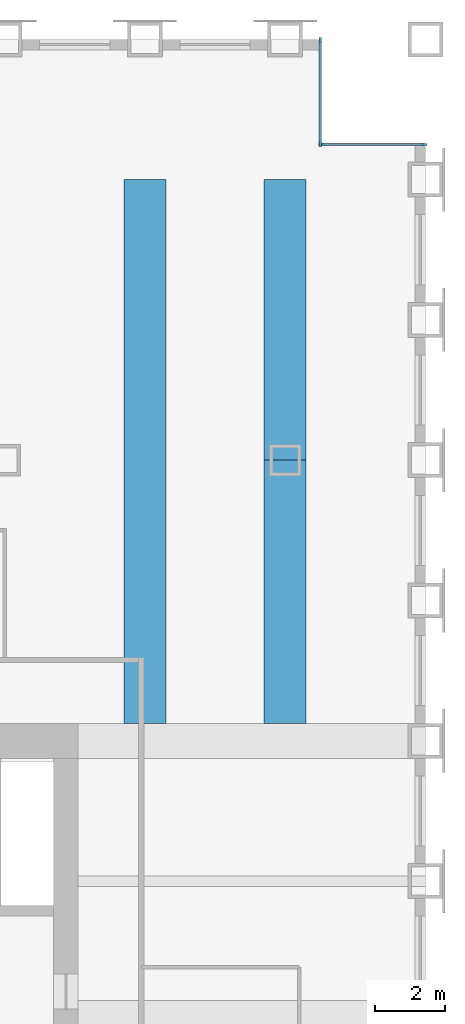
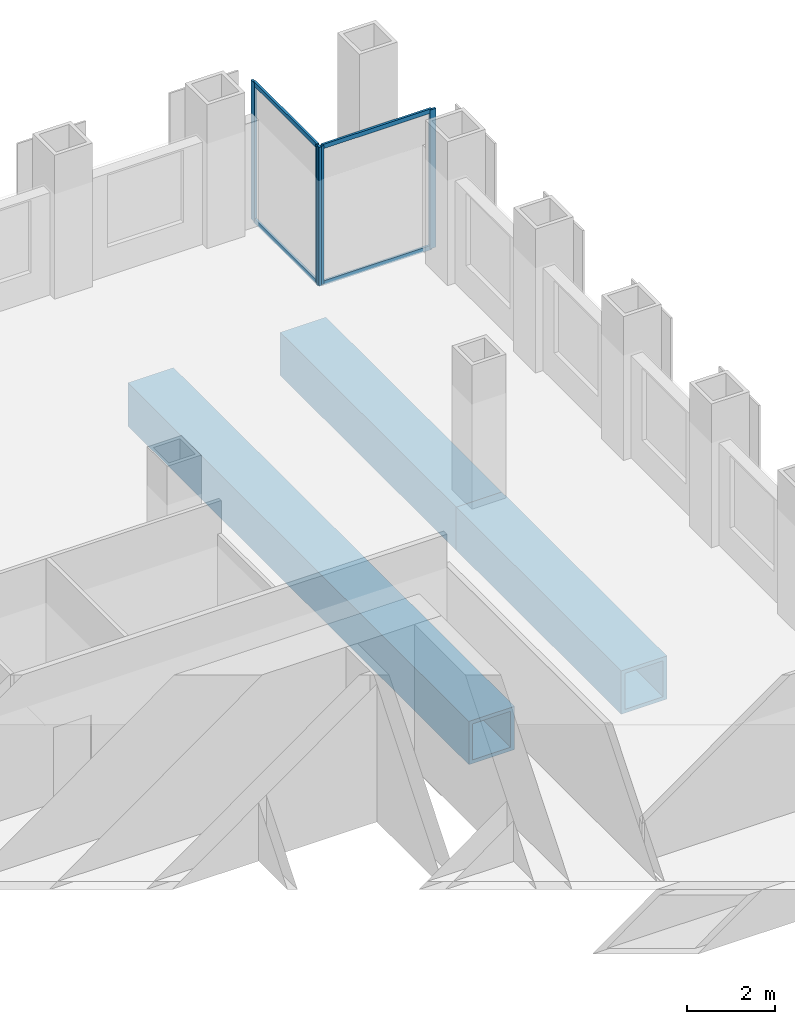
# One storey, part 6 of 13: 8 members, 3 beams, 2 elements without a shape of their own.
"""IFC4 building model written with IfcOpenShell, lengths in metres."""

from ifc_helpers import new_model, si_unit, direction, frame, origin, origin_2d, place, context, subcontext, project, spatial, rectangle, hollow_rectangle, extrude, material, material_profile, profile_set, type_object, element, aggregate, save


model = new_model("IFC4")

# Units and contexts
model_context = context("Model", 3, precision=1e-05, world=origin(), true_north=direction((0.0, 1.0)))
body_context = subcontext(model_context, "Body", "Model", "MODEL_VIEW")
ifc_project = project(units=[si_unit("LENGTHUNIT", "METRE"), si_unit("AREAUNIT", "SQUARE_METRE"), si_unit("VOLUMEUNIT", "CUBIC_METRE"), si_unit("PLANEANGLEUNIT", "RADIAN"), si_unit("MASSUNIT", "GRAM", prefix="KILO")], contexts=[model_context])

# Site, building, storey
site_placement = place(None, origin())
site = spatial("IfcSite", under=ifc_project, at=site_placement, CompositionType="ELEMENT")
building_placement = place(site_placement, origin())
building = spatial("IfcBuilding", under=site, at=building_placement, Name="Rimbunsela Tower", CompositionType="ELEMENT")
storey_placement = place(building_placement, frame((0.0, 0.0, 175.800048828125)))
storey = spatial("IfcBuildingStorey", under=building, at=storey_placement, Name="L42", CompositionType="ELEMENT", Elevation=175.800048828125)

# Beams
ifc_material_1 = material(Name="Steel BJ 55 (fy 410 MPa)", Category="steel")
ifc_material_profile_1 = material_profile(ifc_material_1, hollow_rectangle(XDim=1.199951171875, YDim=1.199951171875, WallThickness=0.10009765625, at=origin_2d()), Name="BOX 1200x1200x100")
ifc_profile_set_1 = profile_set([ifc_material_profile_1], Name="Steel BJ 55 (fy 410 MPa)")
beam_type = type_object("IfcBeamType", Name="Beam BOX 1200x1200x100", PredefinedType="BEAM", material=ifc_profile_set_1)
beam_1_placement = place(storey_placement, frame((38.0, 36.5, -0.75), z_axis=(0.0, 1.0, 0.0), x_axis=(-1.0, 0.0, 0.0)))
element("IfcBeam", 1, at=beam_1_placement, inside=storey, type_object=beam_type, Name="Beam B5 L42", PredefinedType="BEAM", context=body_context, shape_type="SweptSolid", body=[
    extrude(hollow_rectangle(XDim=1.199951171875, YDim=1.199951171875, WallThickness=0.10009765625, at=origin_2d()), origin(), (0.0, 0.0, 1.0), 15.5),
])
beam_2_placement = place(storey_placement, frame((42.0, 36.5, -0.75), z_axis=(0.0, 1.0, 0.0), x_axis=(-1.0, 0.0, 0.0)))
element("IfcBeam", 2, at=beam_2_placement, inside=storey, type_object=beam_type, Name="Beam B5 L42", PredefinedType="BEAM", context=body_context, shape_type="SweptSolid", body=[
    extrude(hollow_rectangle(XDim=1.199951171875, YDim=1.199951171875, WallThickness=0.10009765625, at=origin_2d()), origin(), (0.0, 0.0, 1.0), 7.5),
])
beam_3_placement = place(storey_placement, frame((42.0, 44.0, -0.75), z_axis=(0.0, 1.0, 0.0), x_axis=(-1.0, 0.0, 0.0)))
element("IfcBeam", 3, at=beam_3_placement, inside=storey, type_object=beam_type, Name="Beam B5 L42", PredefinedType="BEAM", context=body_context, shape_type="SweptSolid", body=[
    extrude(hollow_rectangle(XDim=1.199951171875, YDim=1.199951171875, WallThickness=0.10009765625, at=origin_2d()), origin(), (0.0, 0.0, 1.0), 8.0),
])

# Curtain wall, members
ifc_material_2 = material(Name="Aluminium curtain wall", Category="aluminium")
curtain_wall_type = type_object("IfcCurtainWallType", Name="Corner glazing", PredefinedType="USERDEFINED", material=ifc_material_2)
curtain_wall_1_placement = place(storey_placement, origin())
curtain_wall_1 = element("IfcCurtainWall", 4, at=curtain_wall_1_placement, inside=storey, type_object=curtain_wall_type, Name="Corner glazing L42", ObjectType="CORNER GLAZING", PredefinedType="USERDEFINED")
ifc_material_3 = material(Name="Aluminium mullion", Category="aluminium")
ifc_material_profile_2 = material_profile(ifc_material_3, rectangle(XDim=0.06005859375, YDim=0.159912109375, at=origin_2d()), Name="Mullion 60x160")
ifc_profile_set_2 = profile_set([ifc_material_profile_2], Name="Aluminium mullion")
member_type_1 = type_object("IfcMemberType", Name="Curtain wall mullion 60x160", PredefinedType="MULLION", material=ifc_profile_set_2)
member_1_placement = place(storey_placement, frame((45.969970703125, 53.0, 0.0), z_axis=(0.0, 0.0, 1.0), x_axis=(0.0, -1.0, 0.0)))
member_1 = element("IfcMember", 5, at=member_1_placement, type_object=member_type_1, Name="CW5 mullion 1", PredefinedType="MULLION", context=body_context, shape_type="SweptSolid", body=[
    extrude(rectangle(XDim=0.06005859375, YDim=0.159912109375, at=origin_2d()), origin(), (0.0, 0.0, 1.0), 3.849853515625),
])
member_2_placement = place(storey_placement, frame((43.030029296875, 53.0, 0.0), z_axis=(0.0, 0.0, 1.0), x_axis=(0.0, -1.0, 0.0)))
member_2 = element("IfcMember", 6, at=member_2_placement, type_object=member_type_1, Name="CW5 mullion 2", PredefinedType="MULLION", context=body_context, shape_type="SweptSolid", body=[
    extrude(rectangle(XDim=0.06005859375, YDim=0.159912109375, at=origin_2d()), origin(), (0.0, 0.0, 1.0), 3.849853515625),
])

curtain_wall_2_placement = place(storey_placement, origin())
curtain_wall_2 = element("IfcCurtainWall", 7, at=curtain_wall_2_placement, inside=storey, type_object=curtain_wall_type, Name="Corner glazing L42", ObjectType="CORNER GLAZING", PredefinedType="USERDEFINED")
member_3_placement = place(storey_placement, frame((43.0, 53.030029296875, 0.0), z_axis=(0.0, 0.0, 1.0), x_axis=(-1.0, 0.0, 0.0)))
member_3 = element("IfcMember", 8, at=member_3_placement, type_object=member_type_1, Name="CW5 mullion 1", PredefinedType="MULLION", context=body_context, shape_type="SweptSolid", body=[
    extrude(rectangle(XDim=0.06005859375, YDim=0.159912109375, at=origin_2d()), origin(), (0.0, 0.0, 1.0), 3.849853515625),
])
member_4_placement = place(storey_placement, frame((43.0, 55.969970703125, 0.0), z_axis=(0.0, 0.0, 1.0), x_axis=(-1.0, 0.0, 0.0)))
member_4 = element("IfcMember", 9, at=member_4_placement, type_object=member_type_1, Name="CW5 mullion 2", PredefinedType="MULLION", context=body_context, shape_type="SweptSolid", body=[
    extrude(rectangle(XDim=0.06005859375, YDim=0.159912109375, at=origin_2d()), origin(), (0.0, 0.0, 1.0), 3.849853515625),
])

# Member
ifc_material_4 = material(Name="Aluminium transom", Category="aluminium")
ifc_material_profile_3 = material_profile(ifc_material_4, rectangle(XDim=0.06005859375, YDim=0.1201171875, at=origin_2d()), Name="Transom 60x120")
ifc_profile_set_3 = profile_set([ifc_material_profile_3], Name="Aluminium transom")
member_type_2 = type_object("IfcMemberType", Name="Curtain wall transom 60x120", PredefinedType="USERDEFINED", material=ifc_profile_set_3)
member_5_placement = place(storey_placement, frame((45.93994140625, 53.0, 0.030029296875), z_axis=(-1.0, 0.0, 0.0), x_axis=(0.0, -1.0, 0.0)))
member_5 = element("IfcMember", 10, at=member_5_placement, type_object=member_type_2, Name="CW5 transom 1.1", ObjectType="TRANSOM", PredefinedType="USERDEFINED", context=body_context, shape_type="SweptSolid", body=[
    extrude(rectangle(XDim=0.06005859375, YDim=0.1201171875, at=origin_2d()), origin(), (0.0, 0.0, 1.0), 2.8798828125),
])

member_6_placement = place(storey_placement, frame((45.93994140625, 53.0, 3.820068359375), z_axis=(-1.0, 0.0, 0.0), x_axis=(0.0, -1.0, 0.0)))
member_6 = element("IfcMember", 11, at=member_6_placement, type_object=member_type_2, Name="CW5 transom 1.2", ObjectType="TRANSOM", PredefinedType="USERDEFINED", context=body_context, shape_type="SweptSolid", body=[
    extrude(rectangle(XDim=0.06005859375, YDim=0.1201171875, at=origin_2d()), origin(), (0.0, 0.0, 1.0), 2.8798828125),
])

aggregate(curtain_wall_1, [member_1, member_2, member_5, member_6])

member_7_placement = place(storey_placement, frame((43.0, 53.06005859375, 0.030029296875), z_axis=(0.0, 1.0, 0.0), x_axis=(-1.0, 0.0, 0.0)))
member_7 = element("IfcMember", 12, at=member_7_placement, type_object=member_type_2, Name="CW5 transom 1.1", ObjectType="TRANSOM", PredefinedType="USERDEFINED", context=body_context, shape_type="SweptSolid", body=[
    extrude(rectangle(XDim=0.06005859375, YDim=0.1201171875, at=origin_2d()), origin(), (0.0, 0.0, 1.0), 2.8798828125),
])

member_8_placement = place(storey_placement, frame((43.0, 53.06005859375, 3.820068359375), z_axis=(0.0, 1.0, 0.0), x_axis=(-1.0, 0.0, 0.0)))
member_8 = element("IfcMember", 13, at=member_8_placement, type_object=member_type_2, Name="CW5 transom 1.2", ObjectType="TRANSOM", PredefinedType="USERDEFINED", context=body_context, shape_type="SweptSolid", body=[
    extrude(rectangle(XDim=0.06005859375, YDim=0.1201171875, at=origin_2d()), origin(), (0.0, 0.0, 1.0), 2.8798828125),
])

aggregate(curtain_wall_2, [member_3, member_4, member_7, member_8])

save(model, "model.ifc")
